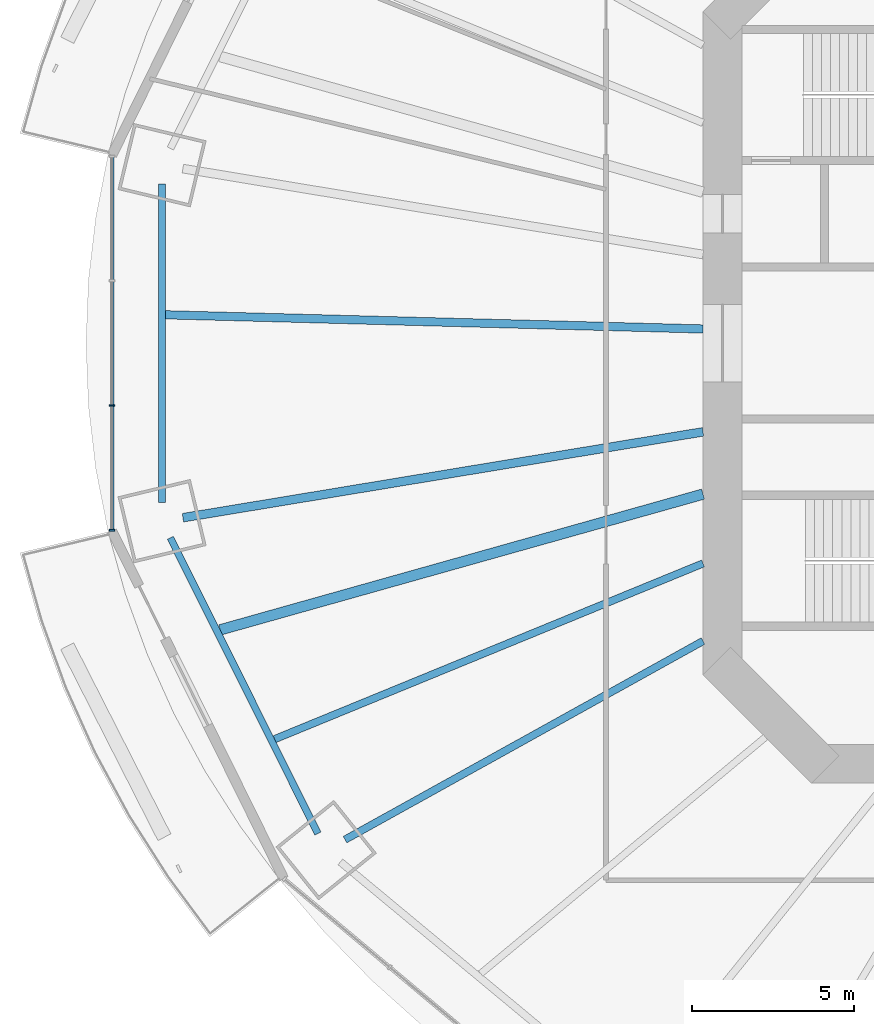
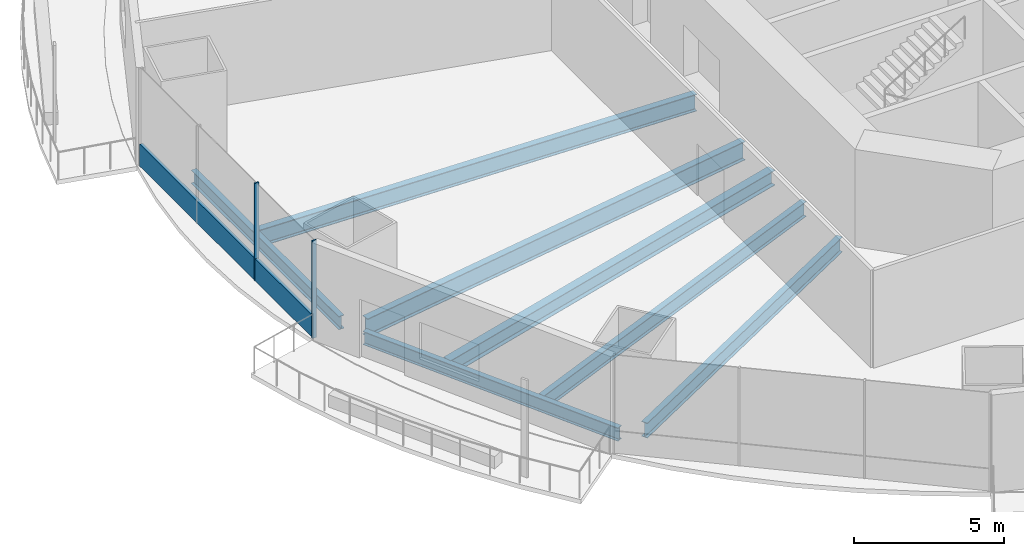
# One storey, part 3 of 22: 7 beams, 3 members, 1 element without a shape of its own.
"""IFC4 building model written with IfcOpenShell, lengths in metres."""

from ifc_helpers import new_model, si_unit, direction, frame, origin, origin_2d, place, context, subcontext, project, spatial, rectangle, i_section, extrude, material, material_profile, profile_set, type_object, element, aggregate, save


model = new_model("IFC4")

# Units and contexts
model_context = context("Model", 3, precision=1e-05, world=origin(), true_north=direction((0.0, 1.0)))
body_context = subcontext(model_context, "Body", "Model", "MODEL_VIEW")
ifc_project = project(units=[si_unit("LENGTHUNIT", "METRE"), si_unit("AREAUNIT", "SQUARE_METRE"), si_unit("VOLUMEUNIT", "CUBIC_METRE"), si_unit("PLANEANGLEUNIT", "RADIAN"), si_unit("MASSUNIT", "GRAM", prefix="KILO")], contexts=[model_context])

# Site, building, storey
site_placement = place(None, origin())
site = spatial("IfcSite", under=ifc_project, at=site_placement, CompositionType="ELEMENT")
building_placement = place(site_placement, origin())
building = spatial("IfcBuilding", under=site, at=building_placement, Name="Marenthal Gate Tower", CompositionType="ELEMENT")
storey_placement = place(building_placement, frame((0.0, 0.0, 78.64990234375)))
storey = spatial("IfcBuildingStorey", under=building, at=storey_placement, Name="L15", CompositionType="ELEMENT", Elevation=78.64990234375)

# Curtain wall, members
ifc_material_1 = material(Name="Aluminium and glass", Category="aluminium")
curtain_wall_type = type_object("IfcCurtainWallType", Name="Curtain wall typical low", PredefinedType="NOTDEFINED", material=ifc_material_1)
curtain_wall_placement = place(storey_placement, origin())
curtain_wall = element("IfcCurtainWall", 1, at=curtain_wall_placement, inside=storey, type_object=curtain_wall_type, Name="Curtain wall L15 bay 8", PredefinedType="NOTDEFINED")
ifc_material_2 = material(Name="Aluminium", Category="aluminium")
ifc_material_profile_1 = material_profile(ifc_material_2, rectangle(XDim=0.159912109375, YDim=0.06005859375, at=origin_2d()), Name="60x160 aluminium mullion")
ifc_profile_set_1 = profile_set([ifc_material_profile_1], Name="Aluminium")
member_type_1 = type_object("IfcMemberType", Name="Mullion 60x160 typical low", PredefinedType="MULLION", material=ifc_profile_set_1)
member_1_placement = place(storey_placement, frame((-34.869873046875, -1.927001953125, 0.0), z_axis=(0.0, 0.0, 1.0), x_axis=(1.0, 0.0, 0.0)))
member_1 = element("IfcMember", 2, at=member_1_placement, type_object=member_type_1, Name="Mullion L15 bay 8.3", PredefinedType="MULLION", context=body_context, shape_type="SweptSolid", body=[
    extrude(rectangle(XDim=0.159912109375, YDim=0.06005859375, at=origin_2d()), origin(), (0.0, 0.0, 1.0), 3.97021484375),
])
member_2_placement = place(storey_placement, frame((-34.869873046875, -5.780517578125, 0.0), z_axis=(0.0, 0.0, 1.0), x_axis=(1.0, 0.0, 0.0)))
member_2 = element("IfcMember", 3, at=member_2_placement, type_object=member_type_1, Name="Mullion L15 bay 8.4", PredefinedType="MULLION", context=body_context, shape_type="SweptSolid", body=[
    extrude(rectangle(XDim=0.159912109375, YDim=0.06005859375, at=origin_2d()), origin(), (0.0, 0.0, 1.0), 3.97021484375),
])
ifc_material_3 = material(Name="Aluminium", Category="aluminium")
ifc_material_profile_2 = material_profile(ifc_material_3, rectangle(XDim=0.1201171875, YDim=0.89990234375, at=origin_2d()), Name="120x900 aluminium transom")
ifc_profile_set_2 = profile_set([ifc_material_profile_2], Name="Aluminium")
member_type_2 = type_object("IfcMemberType", Name="Transom 120x900 typical low", PredefinedType="USERDEFINED", material=ifc_profile_set_2)
member_3_placement = place(storey_placement, frame((-34.869873046875, 5.75048828125, 0.4501953125), z_axis=(0.0, -1.0, 0.0), x_axis=(1.0, 0.0, 0.0)))
member_3 = element("IfcMember", 4, at=member_3_placement, type_object=member_type_2, Name="Transom L15 bay 8", ObjectType="TRANSOM", PredefinedType="USERDEFINED", context=body_context, shape_type="SweptSolid", body=[
    extrude(rectangle(XDim=0.1201171875, YDim=0.89990234375, at=origin_2d()), origin(), (0.0, 0.0, 1.0), 11.5009765625),
])
aggregate(curtain_wall, [member_1, member_2, member_3])

# Beams
ifc_material_4 = material(Name="Steel S355", Category="steel")
ifc_material_profile_3 = material_profile(ifc_material_4, i_section(OverallWidth=0.2119140625, OverallDepth=0.5439453125, WebThickness=0.01318359375, FlangeThickness=0.021240234375, FilletRadius=0.0126953125, at=origin_2d()), Name="W530X123")
ifc_profile_set_3 = profile_set([ifc_material_profile_3], Name="Steel S355")
beam_type_1 = type_object("IfcBeamType", Name="W530X123 beam", PredefinedType="BEAM", material=ifc_profile_set_3)
beam_1_placement = place(storey_placement, frame((-33.3203125, 4.922607421875, -0.451904296875), z_axis=(0.0, -1.0, 0.0), x_axis=(1.0, 0.0, 0.0)))
element("IfcBeam", 5, at=beam_1_placement, inside=storey, type_object=beam_type_1, Name="BM-L15-48", PredefinedType="BEAM", context=body_context, shape_type="SweptSolid", body=[
    extrude(i_section(OverallWidth=0.2119140625, OverallDepth=0.5439453125, WebThickness=0.01318359375, FlangeThickness=0.021240234375, FilletRadius=0.0126953125, at=origin_2d()), origin(), (0.0, 0.0, 1.0), 9.84521484375),
])
beam_2_placement = place(storey_placement, frame((-33.062255859375, -6.019287109375, -0.451904296875), z_axis=(0.446448228661, -0.894809465264, 0.0), x_axis=(0.894809465264, 0.446448228661, 0.0)))
element("IfcBeam", 6, at=beam_2_placement, inside=storey, type_object=beam_type_1, Name="BM-L15-49", PredefinedType="BEAM", context=body_context, shape_type="SweptSolid", body=[
    extrude(i_section(OverallWidth=0.2119140625, OverallDepth=0.5439453125, WebThickness=0.01318359375, FlangeThickness=0.021240234375, FilletRadius=0.0126953125, at=origin_2d()), origin(), (0.0, 0.0, 1.0), 10.209716796875),
])
ifc_material_5 = material(Name="Steel S355", Category="steel")
ifc_material_profile_4 = material_profile(ifc_material_5, i_section(OverallWidth=0.22900390625, OverallDepth=0.612060546875, WebThickness=0.011962890625, FlangeThickness=0.01953125, FilletRadius=0.0126953125, at=origin_2d()), Name="W610X125")
ifc_profile_set_4 = profile_set([ifc_material_profile_4], Name="Steel S355")
beam_type_2 = type_object("IfcBeamType", Name="W610X125 beam", PredefinedType="BEAM", material=ifc_profile_set_4)
beam_3_placement = place(storey_placement, frame((-27.6640625, -15.345703125, -0.48583984375), z_axis=(0.874465657006, 0.485087429972, 0.0), x_axis=(-0.485087429972, 0.874465657006, 0.0)))
element("IfcBeam", 7, at=beam_3_placement, inside=storey, type_object=beam_type_2, Name="BM-L15-10", PredefinedType="BEAM", context=body_context, shape_type="SweptSolid", body=[
    extrude(i_section(OverallWidth=0.22900390625, OverallDepth=0.612060546875, WebThickness=0.011962890625, FlangeThickness=0.01953125, FilletRadius=0.0126953125, at=origin_2d()), origin(), (0.0, 0.0, 1.0), 12.65234375),
])
beam_4_placement = place(storey_placement, frame((-29.840087890625, -12.239990234375, -0.48583984375), z_axis=(0.925190275705, 0.379503562225, 0.0), x_axis=(-0.379503562225, 0.925190275705, 0.0)))
element("IfcBeam", 8, at=beam_4_placement, inside=storey, type_object=beam_type_2, Name="BM-L15-30", PredefinedType="BEAM", context=body_context, shape_type="SweptSolid", body=[
    extrude(i_section(OverallWidth=0.22900390625, OverallDepth=0.612060546875, WebThickness=0.011962890625, FlangeThickness=0.01953125, FilletRadius=0.0126953125, at=origin_2d()), origin(), (0.0, 0.0, 1.0), 14.310546875),
])
ifc_material_6 = material(Name="Steel S355", Category="steel")
ifc_material_profile_5 = material_profile(ifc_material_6, i_section(OverallWidth=0.324951171875, OverallDepth=0.612060546875, WebThickness=0.0126953125, FlangeThickness=0.01904296875, FilletRadius=0.0126953125, at=origin_2d()), Name="W610X155")
ifc_profile_set_5 = profile_set([ifc_material_profile_5], Name="Steel S355")
beam_type_3 = type_object("IfcBeamType", Name="W610X155 beam", PredefinedType="BEAM", material=ifc_profile_set_5)
beam_5_placement = place(storey_placement, frame((-31.525390625, -8.862060546875, -0.48583984375), z_axis=(0.962687612966, 0.270615150797, 0.0), x_axis=(-0.270615150797, 0.962687612966, 0.0)))
element("IfcBeam", 9, at=beam_5_placement, inside=storey, type_object=beam_type_3, Name="BM-L15-29", PredefinedType="BEAM", context=body_context, shape_type="SweptSolid", body=[
    extrude(i_section(OverallWidth=0.324951171875, OverallDepth=0.612060546875, WebThickness=0.0126953125, FlangeThickness=0.01904296875, FilletRadius=0.0126953125, at=origin_2d()), origin(), (0.0, 0.0, 1.0), 15.503662109375),
])
ifc_material_7 = material(Name="Steel S355", Category="steel")
ifc_material_profile_6 = material_profile(ifc_material_7, i_section(OverallWidth=0.257080078125, OverallDepth=0.693115234375, WebThickness=0.014404296875, FlangeThickness=0.023681640625, FilletRadius=0.015380859375, at=origin_2d()), Name="W690X170")
ifc_profile_set_6 = profile_set([ifc_material_profile_6], Name="Steel S355")
beam_type_4 = type_object("IfcBeamType", Name="W690X170 beam", PredefinedType="BEAM", material=ifc_profile_set_6)
beam_6_placement = place(storey_placement, frame((-33.214111328125, 0.877685546875, -0.5263671875), z_axis=(0.999651138497, -0.026412143055, 0.0), x_axis=(0.026412143055, 0.999651138497, 0.0)))
element("IfcBeam", 10, at=beam_6_placement, inside=storey, type_object=beam_type_4, Name="BM-L15-28", PredefinedType="BEAM", context=body_context, shape_type="SweptSolid", body=[
    extrude(i_section(OverallWidth=0.257080078125, OverallDepth=0.693115234375, WebThickness=0.014404296875, FlangeThickness=0.023681640625, FilletRadius=0.015380859375, at=origin_2d()), origin(), (0.0, 0.0, 1.0), 16.619873046875),
])
ifc_material_8 = material(Name="Steel S355", Category="steel")
ifc_material_profile_7 = material_profile(ifc_material_8, i_section(OverallWidth=0.26708984375, OverallDepth=0.761962890625, WebThickness=0.014404296875, FlangeThickness=0.021484375, FilletRadius=0.0166015625, at=origin_2d()), Name="W760X173")
ifc_profile_set_7 = profile_set([ifc_material_profile_7], Name="Steel S355")
beam_type_5 = type_object("IfcBeamType", Name="W760X173 beam", PredefinedType="BEAM", material=ifc_profile_set_7)
beam_7_placement = place(storey_placement, frame((-32.676025390625, -5.39599609375, -0.560791015625), z_axis=(0.986637030798, 0.162933635137, 0.0), x_axis=(-0.162933635137, 0.986637030798, 0.0)))
element("IfcBeam", 11, at=beam_7_placement, inside=storey, type_object=beam_type_5, Name="BM-L15-09", PredefinedType="BEAM", context=body_context, shape_type="SweptSolid", body=[
    extrude(i_section(OverallWidth=0.26708984375, OverallDepth=0.761962890625, WebThickness=0.014404296875, FlangeThickness=0.021484375, FilletRadius=0.0166015625, at=origin_2d()), origin(), (0.0, 0.0, 1.0), 16.293701171875),
])

save(model, "model.ifc")
